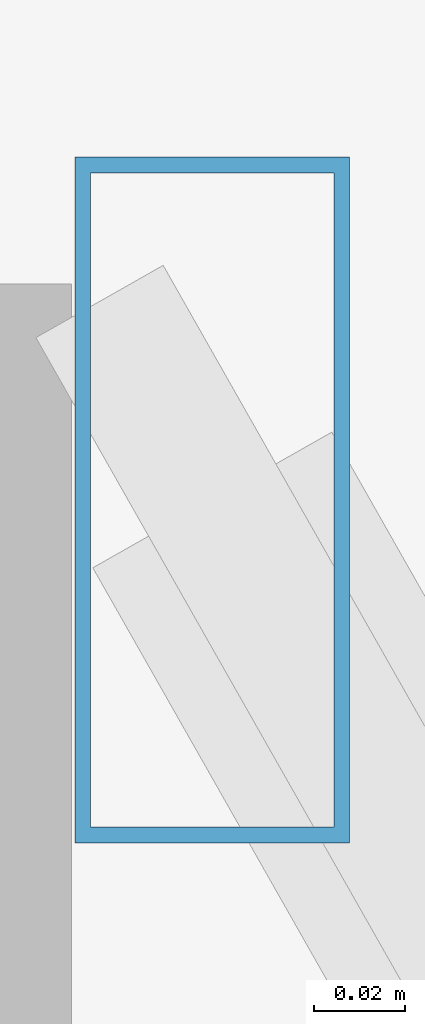
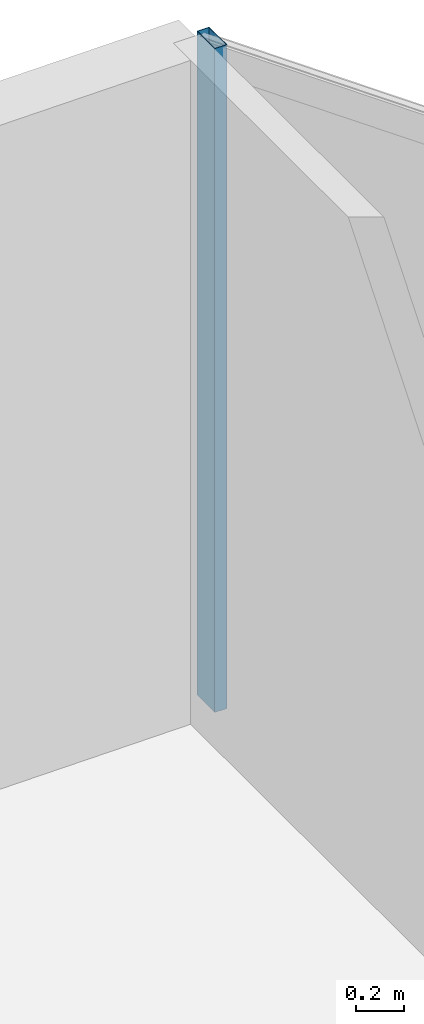
# One storey, part 30 of 42: 1 member, 1 element without a shape of its own.
"""IFC4 building model written with IfcOpenShell, lengths in metres."""

import ifcopenshell
import ifcopenshell.guid

model = None  # the IFC model being written
_history = None  # IfcOwnerHistory: only IFC2X3 demands one
_inside = {}  # id of a spatial element -> (the spatial element, [elements in it])
_under = {}  # id of a project, library or spatial element -> (it, [spatial elements below it])
_declared = {}  # id of a project -> (the project, [libraries it declares])
_typed = {}  # id of a type object -> (the type object, [elements of that type])
_made_of = {}  # id of a material, layer set ... -> (it, [elements and type objects made of it])


def new_model(schema):
    """Start an empty IFC model of exactly this schema.

    Asked for "IFC4X3", IfcOpenShell would pick the latest addendum, in which some entities
    have other attributes; the version numbers below select the first issue.
    IFC2X3 requires an IfcOwnerHistory on every rooted entity: one is made here for all.
    """
    global model, _history
    if schema == "IFC4X3":
        model = ifcopenshell.file(schema_version=(4, 3, 0, 0))
    else:
        model = ifcopenshell.file(schema=schema)
    _inside.clear()
    _under.clear()
    _declared.clear()
    _typed.clear()
    _made_of.clear()
    _history = None
    if model.schema == "IFC2X3":
        org = make("IfcOrganization", Name="unknown")
        user = make(
            "IfcPersonAndOrganization",
            ThePerson=make("IfcPerson", FamilyName="unknown"),
            TheOrganization=org,
        )
        app = make(
            "IfcApplication",
            ApplicationDeveloper=org,
            Version="unknown",
            ApplicationFullName="unknown",
            ApplicationIdentifier="unknown",
        )
        _history = make(
            "IfcOwnerHistory",
            OwningUser=user,
            OwningApplication=app,
            ChangeAction="ADDED",
            CreationDate=0,
        )
    return model


def make(cls, **values):
    """One entity of the class cls with the attributes given. An attribute that is None is left unset."""
    return model.create_entity(
        cls, **{name: value for name, value in values.items() if value is not None}
    )


def rooted(cls, **values):
    """An entity with a GlobalId (a new one), such as an element, a storey or a relation."""
    return make(cls, GlobalId=ifcopenshell.guid.new(), OwnerHistory=_history, **values)


def si_unit(unit_type, name, prefix=None):
    """IfcSIUnit, for example si_unit("LENGTHUNIT", "METRE", prefix="MILLI")."""
    return make("IfcSIUnit", UnitType=unit_type, Prefix=prefix, Name=name)


def assignment(units):
    """IfcUnitAssignment: the units of a project."""
    return None if units is None else make("IfcUnitAssignment", Units=units)


def point(xyz):
    """IfcCartesianPoint."""
    return None if xyz is None else make("IfcCartesianPoint", Coordinates=xyz)


def direction(xyz):
    """IfcDirection."""
    return None if xyz is None else make("IfcDirection", DirectionRatios=xyz)


def frame(location, z_axis=None, x_axis=None):
    """IfcAxis2Placement3D, a coordinate frame: its origin and axes. An axis left out is left unset."""
    return make(
        "IfcAxis2Placement3D",
        Location=point(location),
        Axis=direction(z_axis),
        RefDirection=direction(x_axis),
    )


def frame_2d(location, x_axis=None):
    """IfcAxis2Placement2D, a coordinate frame in the plane: its origin and x axis."""
    return make(
        "IfcAxis2Placement2D", Location=point(location), RefDirection=direction(x_axis)
    )


def origin():
    """The frame at (0, 0, 0) with its axes left unset."""
    return frame((0.0, 0.0, 0.0))


def origin_2d():
    """The frame at (0, 0) in the plane with its x axis left unset."""
    return frame_2d((0.0, 0.0))


def place(relative_to, where):
    """IfcLocalPlacement: puts the frame where relative to a parent placement (None: the world)."""
    return make(
        "IfcLocalPlacement", PlacementRelTo=relative_to, RelativePlacement=where
    )


def context(
    kind, dimensions, precision=None, world=None, true_north=None, identifier=None
):
    """IfcGeometricRepresentationContext, for example the 3D "Model" context."""
    return make(
        "IfcGeometricRepresentationContext",
        ContextIdentifier=identifier,
        ContextType=kind,
        CoordinateSpaceDimension=dimensions,
        Precision=precision,
        WorldCoordinateSystem=world,
        TrueNorth=true_north,
    )


def subcontext(parent, identifier, kind, view, scale=None):
    """IfcGeometricRepresentationSubContext, for example "Body" below "Model"."""
    return make(
        "IfcGeometricRepresentationSubContext",
        ContextIdentifier=identifier,
        ContextType=kind,
        ParentContext=parent,
        TargetScale=scale,
        TargetView=view,
    )


def project(units=None, contexts=None):
    """IfcProject with its units and contexts."""
    return rooted(
        "IfcProject",
        Name="project",
        RepresentationContexts=contexts,
        UnitsInContext=assignment(units),
    )


def spatial(cls, under=None, at=None, **own):
    """A site, building, storey or space (cls), placed at a placement, below another one or the project."""
    s = rooted(cls, ObjectPlacement=at, **own)
    if under is not None:
        _under.setdefault(under.id(), (under, []))[1].append(s)
    return s


def profile(cls, at=None, kind="AREA", **sizes):
    """A parametric profile (cls). Its sizes go by their IFC names, for example OverallWidth=200.0."""
    return make(cls, ProfileType=kind, Position=at, **sizes)


def hollow_rectangle(**sizes):
    """IfcRectangleHollowProfileDef."""
    return profile("IfcRectangleHollowProfileDef", **sizes)


def extrude(swept, where, along, depth):
    """IfcExtrudedAreaSolid: the profile swept, set in the frame where, extruded along a direction by depth."""
    return make(
        "IfcExtrudedAreaSolid",
        SweptArea=swept,
        Position=where,
        ExtrudedDirection=direction(along),
        Depth=depth,
    )


def shape(context_of_items, identifier, shape_type, items):
    """IfcShapeRepresentation: the items that make up one representation, for example the "Body"."""
    return make(
        "IfcShapeRepresentation",
        ContextOfItems=context_of_items,
        RepresentationIdentifier=identifier,
        RepresentationType=shape_type,
        Items=items,
    )


def source(mapping_origin, context_of_items, identifier, shape_type, items):
    """IfcRepresentationMap: a shape defined once, which mapped items show again and again."""
    return make(
        "IfcRepresentationMap",
        MappingOrigin=mapping_origin,
        MappedRepresentation=shape(context_of_items, identifier, shape_type, items),
    )


def transform(
    local_origin,
    x_axis=None,
    y_axis=None,
    z_axis=None,
    scale=None,
    scale2=None,
    scale3=None,
    uniform=True,
):
    """IfcCartesianTransformationOperator3D, or its non-uniform kind. x_axis, y_axis, z_axis: its Axis1, 2, 3."""
    if uniform:
        return make(
            "IfcCartesianTransformationOperator3D",
            Axis1=direction(x_axis),
            Axis2=direction(y_axis),
            LocalOrigin=point(local_origin),
            Scale=scale,
            Axis3=direction(z_axis),
        )
    return make(
        "IfcCartesianTransformationOperator3DnonUniform",
        Axis1=direction(x_axis),
        Axis2=direction(y_axis),
        LocalOrigin=point(local_origin),
        Scale=scale,
        Axis3=direction(z_axis),
        Scale2=scale2,
        Scale3=scale3,
    )


def mapped(mapping_source, mapping_target):
    """IfcMappedItem: shows the shape of a source again, moved by a transform."""
    return make(
        "IfcMappedItem", MappingSource=mapping_source, MappingTarget=mapping_target
    )


def material(Name=None, Category=None):
    """IfcMaterial."""
    return make("IfcMaterial", Name=Name, Category=Category)


def material_profile(
    of_material, cross_section, Name=None, Category=None, Priority=None
):
    """IfcMaterialProfile: a cross section and its material."""
    return make(
        "IfcMaterialProfile",
        Name=Name,
        Material=of_material,
        Profile=cross_section,
        Priority=Priority,
        Category=Category,
    )


def profile_set(profiles, Name=None, composite=None):
    """IfcMaterialProfileSet."""
    return make(
        "IfcMaterialProfileSet",
        Name=Name,
        MaterialProfiles=profiles,
        CompositeProfile=composite,
    )


def made_of(thing, what):
    """Note that an element or type object is made of a material, layer set ...; save() writes the relation."""
    if what is not None:
        _made_of.setdefault(what.id(), (what, []))[1].append(thing)
    return thing


def type_object(cls, material=None, **own):
    """A type object (cls), such as IfcWallType, which elements share."""
    return made_of(rooted(cls, **own), material)


def type_shapes(of_type, sources):
    """Give a type object the sources (RepresentationMaps) that its elements show as mapped items."""
    of_type.RepresentationMaps = sources


def element(
    cls,
    number,
    at=None,
    inside=None,
    cuts=None,
    type_object=None,
    material=None,
    context=None,
    identifier="Body",
    shape_type=None,
    held_by="IfcProductDefinitionShape",
    body=None,
    shapes=None,
    **own,
):
    """One element of the class cls, such as IfcWall. Its Tag is "e" and its number.

    at: its placement. inside: the storey or other place that contains it. cuts: it is an
    opening in that element (IfcRelVoidsElement). A single representation is given by context,
    identifier, shape_type and body (its items); several are given by shapes. held_by: the class
    of the entity that holds the representations. save() writes the other relations.
    """
    e = rooted(cls, Tag="e%d" % number, ObjectPlacement=at, **own)
    if body is not None:
        shapes = [shape(context, identifier, shape_type, body)]
    if shapes is not None:
        e.Representation = make(held_by, Representations=shapes)
    if inside is not None:
        _inside.setdefault(inside.id(), (inside, []))[1].append(e)
    if cuts is not None:
        rooted(
            "IfcRelVoidsElement", RelatingBuildingElement=cuts, RelatedOpeningElement=e
        )
    if type_object is not None:
        _typed.setdefault(type_object.id(), (type_object, []))[1].append(e)
    return made_of(e, material)


def aggregate(whole, parts):
    """IfcRelAggregates: a whole, such as a stair, and the parts it consists of."""
    return rooted("IfcRelAggregates", RelatingObject=whole, RelatedObjects=parts)


def save(model, path):
    """Write the relations noted so far, then the file.

    IfcRelAggregates (storeys below a building ...), IfcRelContainedInSpatialStructure (elements
    in a storey), IfcRelDefinesByType, IfcRelAssociatesMaterial and IfcRelDeclares: one each for
    every whole, place, type object, material and project.
    """
    for whole, parts in _under.values():
        aggregate(whole, parts)
    for where, things in _inside.values():
        rooted(
            "IfcRelContainedInSpatialStructure",
            RelatedElements=things,
            RelatingStructure=where,
        )
    for kind, things in _typed.values():
        rooted("IfcRelDefinesByType", RelatedObjects=things, RelatingType=kind)
    for what, things in _made_of.values():
        rooted("IfcRelAssociatesMaterial", RelatedObjects=things, RelatingMaterial=what)
    for by, libraries in _declared.values():
        rooted("IfcRelDeclares", RelatingContext=by, RelatedDefinitions=libraries)
    model.write(path)


model = new_model("IFC4")

# Units and contexts
model_context = context("Model", 3, precision=1e-05, world=origin(), true_north=direction((0.0, 1.0)))
body_context = subcontext(model_context, "Body", "Model", "MODEL_VIEW")
ifc_project = project(units=[si_unit("LENGTHUNIT", "METRE"), si_unit("AREAUNIT", "SQUARE_METRE"), si_unit("VOLUMEUNIT", "CUBIC_METRE"), si_unit("PLANEANGLEUNIT", "RADIAN"), si_unit("MASSUNIT", "GRAM", prefix="KILO")], contexts=[model_context])

# Site, building, storey
site_placement = place(None, origin())
site = spatial("IfcSite", under=ifc_project, at=site_placement, CompositionType="ELEMENT")
building_placement = place(site_placement, origin())
building = spatial("IfcBuilding", under=site, at=building_placement, Name="Caelisora Broadcast Tower", CompositionType="ELEMENT")
storey_placement = place(building_placement, frame((0.0, 0.0, 131.800048828125)))
storey = spatial("IfcBuildingStorey", under=building, at=storey_placement, Name="L34", CompositionType="ELEMENT", Elevation=131.800048828125)

# Curtain wall, member
ifc_material_1 = material(Name="Unitised Aluminium and Low-E Glass Curtain Wall", Category="glass")
curtain_wall_type = type_object("IfcCurtainWallType", Name="CW-Z3", PredefinedType="NOTDEFINED", material=ifc_material_1)
curtain_wall_placement = place(storey_placement, origin())
curtain_wall = element("IfcCurtainWall", 1, at=curtain_wall_placement, inside=storey, type_object=curtain_wall_type, Name="L34 curtain wall CW-Z3", PredefinedType="NOTDEFINED")
ifc_material_2 = material(Name="Aluminium 6063-T6 Anodised Terracotta Bronze", Category="aluminium")
ifc_material_profile = material_profile(ifc_material_2, hollow_rectangle(XDim=0.06005859375, YDim=0.14990234375, WallThickness=0.00341796875, at=origin_2d()), Name="Aluminium 6063-T6 Anodised Terracotta Bronze")
ifc_profile_set = profile_set([ifc_material_profile], Name="Aluminium 6063-T6 Anodised Terracotta Bronze")
member_type = type_object("IfcMemberType", Name="CWM-03", PredefinedType="MULLION", material=ifc_profile_set)
shared_shape = source(origin(), body_context, "Body", "SweptSolid", [
    extrude(hollow_rectangle(XDim=0.06005859375, YDim=0.14990234375, WallThickness=0.00341796875, at=origin_2d()), origin(), (0.0, 0.0, 1.0), 3.39990234375),
])
type_shapes(member_type, [shared_shape])
member_placement = place(storey_placement, frame((43.095703125, 51.297607421875, 0.0), z_axis=(0.0, 0.0, 1.0), x_axis=(1.0, 0.0, 0.0)))
member = element("IfcMember", 2, at=member_placement, type_object=member_type, Name="L34-CW-B01 mullion #0", PredefinedType="MULLION", context=body_context, shape_type="MappedRepresentation", body=[
    mapped(shared_shape, transform((0.0, 0.0, 0.0), scale=1.0)),
])
aggregate(curtain_wall, [member])

save(model, "model.ifc")
